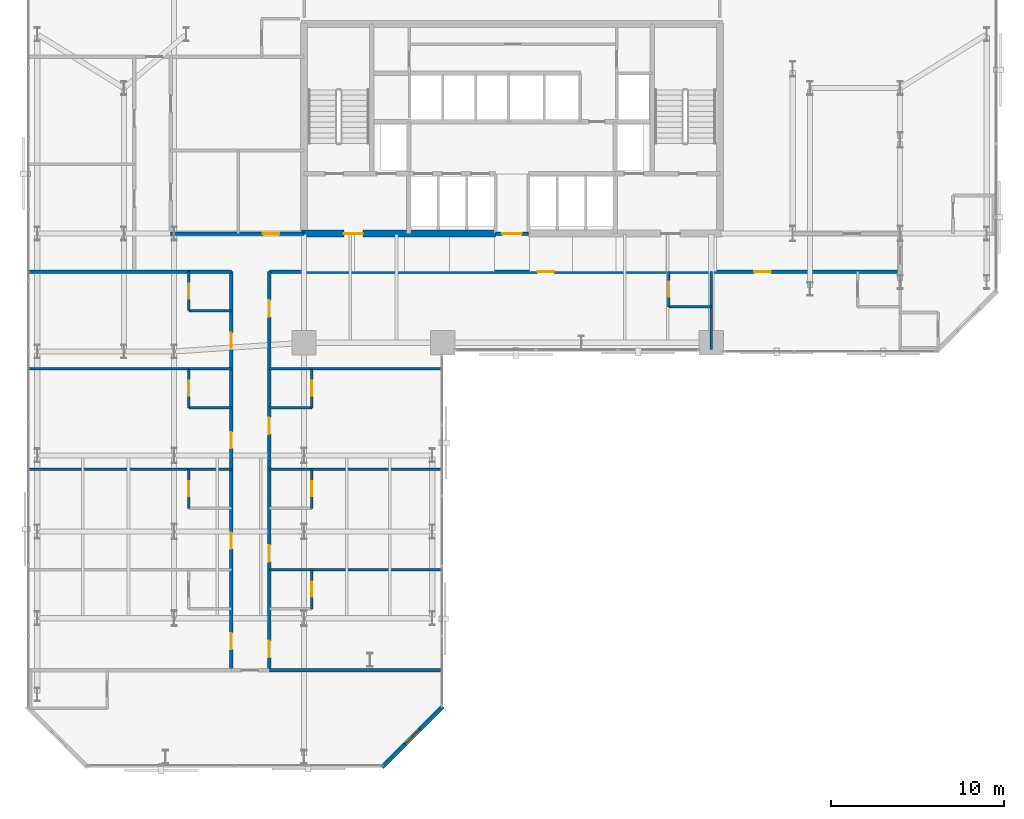
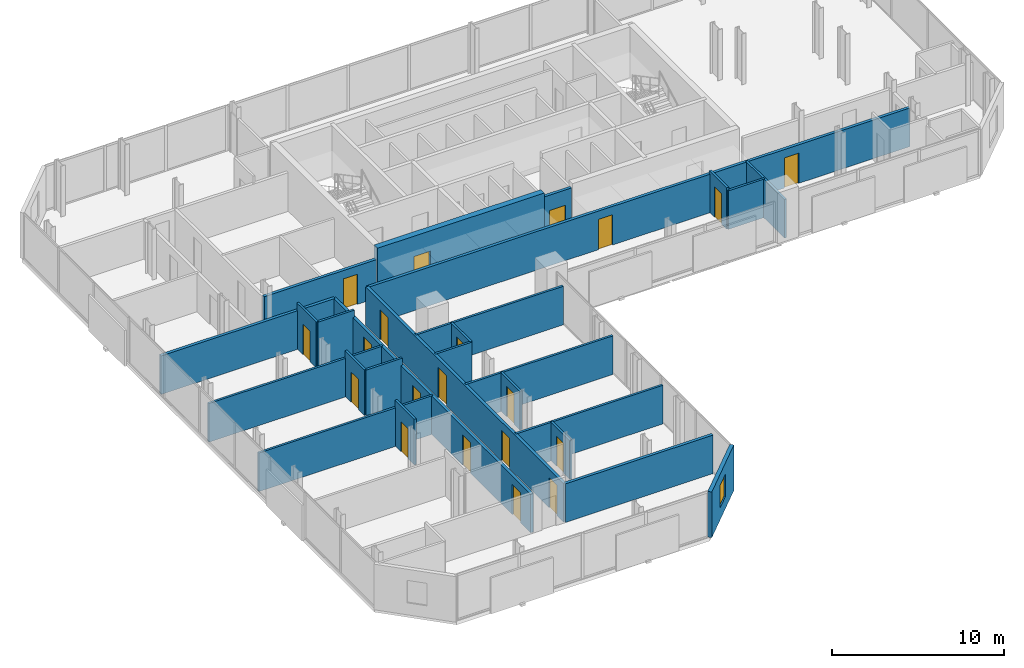
# One storey, part 29 of 33: 26 walls, 20 doors, 1 window, 21 openings.
"""IFC4 building model written with IfcOpenShell, lengths in metres."""

from ifc_helpers import new_model, si_unit, direction, frame, frame_2d, origin, place, context, subcontext, project, spatial, rectangle, extrude, material, layer, layer_set, type_object, element, fill, save


model = new_model("IFC4")

# Units and contexts
model_context = context("Model", 3, precision=1e-05, world=origin(), true_north=direction((0.0, 1.0)))
body_context = subcontext(model_context, "Body", "Model", "MODEL_VIEW")
ifc_project = project(units=[si_unit("LENGTHUNIT", "METRE"), si_unit("AREAUNIT", "SQUARE_METRE"), si_unit("VOLUMEUNIT", "CUBIC_METRE"), si_unit("PLANEANGLEUNIT", "RADIAN"), si_unit("MASSUNIT", "GRAM", prefix="KILO")], contexts=[model_context])

# Site, building, storey
site_placement = place(None, origin())
site = spatial("IfcSite", under=ifc_project, at=site_placement, CompositionType="ELEMENT")
building_placement = place(site_placement, origin())
building = spatial("IfcBuilding", under=site, at=building_placement, Name="Catumbela Crestline Tower", CompositionType="ELEMENT")
storey_placement = place(building_placement, frame((0.0, 0.0, 76.2)))
storey = spatial("IfcBuildingStorey", under=building, at=storey_placement, Name="L19", CompositionType="ELEMENT", Elevation=76.2)

# Wall, opening, door
ifc_material_1 = material(Name="Concrete C60/75", Category="concrete")
ifc_layer_1 = layer(ifc_material_1, 0.4, Name="Concrete C60/75")
ifc_layer_set_1 = layer_set([ifc_layer_1], Name="Concrete C60/75")
wall_type_1 = type_object("IfcWallType", Name="CW-400A", PredefinedType="SHEAR", material=ifc_layer_set_1)
wall_1_placement = place(storey_placement, frame((15.85, 30.8, 0.0), z_axis=(0.0, 0.0, 1.0), x_axis=(1.0, 0.0, 0.0)))
wall_1 = element("IfcWall", 1, at=wall_1_placement, inside=storey, type_object=wall_type_1, Name="L19 Structural Core Shear Wall SW", PredefinedType="SHEAR", context=body_context, shape_type="SweptSolid", body=[
    extrude(rectangle(XDim=11.2, YDim=0.4, at=frame_2d((5.6, 0.0))), origin(), (0.0, 0.0, 1.0), 3.6),
])
opening_1_placement = place(wall_1_placement, frame((2.45, 0.0, 0.0)))
opening_1 = element("IfcOpeningElement", 2, at=opening_1_placement, cuts=wall_1, Name="Opening DF9-110", PredefinedType="OPENING", context=body_context, shape_type="SweptSolid", body=[
    extrude(rectangle(XDim=1.1, YDim=2.15, at=frame_2d((0.55, 1.075))), frame((0.0, 0.21, 0.0), z_axis=(0.0, -1.0, 0.0), x_axis=(1.0, 0.0, 0.0)), (0.0, 0.0, 1.0), 0.42),
])
ifc_material_2 = material(Name="Stainless steel EN 1.4401", Category="steel")
door_type_1 = type_object("IfcDoorType", Name="DF9-110", OperationType="NOTDEFINED", PredefinedType="DOOR", material=ifc_material_2)
door_1_placement = place(opening_1_placement, origin())
door_1 = element("IfcDoor", 3, at=door_1_placement, inside=storey, type_object=door_type_1, Name="L19 Interior Door DR-L19-FFW-S", OperationType="SINGLE_SWING_LEFT", OverallHeight=2.15, OverallWidth=1.1, PredefinedType="DOOR", context=body_context, shape_type="SweptSolid", body=[
    extrude(rectangle(XDim=1.1, YDim=2.15, at=frame_2d((0.55, 1.075))), frame((0.0, 0.025, 0.0), z_axis=(0.0, -1.0, 0.0), x_axis=(1.0, 0.0, 0.0)), (0.0, 0.0, 1.0), 0.05),
])
fill(opening_1, door_1)

ifc_material_3 = material(Name="Acoustic gypsum and mineral-wool partition")
ifc_layer_2 = layer(ifc_material_3, 0.2, Name="Acoustic gypsum and mineral-wool partition")
ifc_layer_set_2 = layer_set([ifc_layer_2], Name="Acoustic gypsum and mineral-wool partition")
wall_type_2 = type_object("IfcWallType", Name="WC-200", PredefinedType="PARTITIONING", material=ifc_layer_set_2)
wall_2_placement = place(storey_placement, frame((27.05, 30.8, 0.0), z_axis=(0.0, 0.0, 1.0), x_axis=(1.0, 0.0, 0.0)))
wall_2 = element("IfcWall", 4, at=wall_2_placement, inside=storey, type_object=wall_type_2, Name="L19 Interior Partition PW-L19-CLOBS", PredefinedType="PARTITIONING", context=body_context, shape_type="SweptSolid", body=[
    extrude(rectangle(XDim=1.9, YDim=0.2, at=frame_2d((0.95, 0.0))), origin(), (0.0, 0.0, 1.0), 3.24),
])
opening_2_placement = place(wall_2_placement, frame((0.4, 0.0, 0.0)))
opening_2 = element("IfcOpeningElement", 5, at=opening_2_placement, cuts=wall_2, Name="Opening DF9-110", PredefinedType="OPENING", context=body_context, shape_type="SweptSolid", body=[
    extrude(rectangle(XDim=1.1, YDim=2.15, at=frame_2d((0.55, 1.075))), frame((0.0, 0.11, 0.0), z_axis=(0.0, -1.0, 0.0), x_axis=(1.0, 0.0, 0.0)), (0.0, 0.0, 1.0), 0.22),
])
door_2_placement = place(opening_2_placement, origin())
door_2 = element("IfcDoor", 6, at=door_2_placement, inside=storey, type_object=door_type_1, Name="L19 Interior Door DR-L19-CLOBS", OperationType="SINGLE_SWING_LEFT", OverallHeight=2.15, OverallWidth=1.1, PredefinedType="DOOR", context=body_context, shape_type="SweptSolid", body=[
    extrude(rectangle(XDim=1.1, YDim=2.15, at=frame_2d((0.55, 1.075))), frame((0.0, 0.025, 0.0), z_axis=(0.0, -1.0, 0.0), x_axis=(1.0, 0.0, 0.0)), (0.0, 0.0, 1.0), 0.05),
])
fill(opening_2, door_2)

# Wall
wall_3_placement = place(storey_placement, frame((0.1, 28.6, 0.0), z_axis=(0.0, 0.0, 1.0), x_axis=(1.0, 0.0, 0.0)))
element("IfcWall", 7, at=wall_3_placement, inside=storey, type_object=wall_type_2, Name="L19 Interior Partition PW-L19-CWGL-N", PredefinedType="PARTITIONING", context=body_context, shape_type="SweptSolid", body=[
    extrude(rectangle(XDim=11.7, YDim=0.2, at=frame_2d((5.85, 0.0))), origin(), (0.0, 0.0, 1.0), 2.74),
])

# Wall, openings, doors
wall_4_placement = place(storey_placement, frame((14.0, 28.6, 0.0), z_axis=(0.0, 0.0, 1.0), x_axis=(1.0, 0.0, 0.0)))
wall_4 = element("IfcWall", 8, at=wall_4_placement, inside=storey, type_object=wall_type_2, Name="L19 Interior Partition PW-L19-CWGR-N", PredefinedType="PARTITIONING", context=body_context, shape_type="SweptSolid", body=[
    extrude(rectangle(XDim=36.4, YDim=0.2, at=frame_2d((18.2, 0.0))), origin(), (0.0, 0.0, 1.0), 2.74),
])
opening_3_placement = place(wall_4_placement, frame((15.475, 0.0, 0.0)))
opening_3 = element("IfcOpeningElement", 9, at=opening_3_placement, cuts=wall_4, Name="Opening DF6-095", PredefinedType="OPENING", context=body_context, shape_type="SweptSolid", body=[
    extrude(rectangle(XDim=0.95, YDim=2.15, at=frame_2d((0.475, 1.075))), frame((0.0, 0.11, 0.0), z_axis=(0.0, -1.0, 0.0), x_axis=(1.0, 0.0, 0.0)), (0.0, 0.0, 1.0), 0.22),
])
opening_4_placement = place(wall_4_placement, frame((27.9859, 0.0, 0.0)))
opening_4 = element("IfcOpeningElement", 10, at=opening_4_placement, cuts=wall_4, Name="Opening DF6-095", PredefinedType="OPENING", context=body_context, shape_type="SweptSolid", body=[
    extrude(rectangle(XDim=0.95, YDim=2.15, at=frame_2d((0.475, 1.075))), frame((0.0, 0.11, 0.0), z_axis=(0.0, -1.0, 0.0), x_axis=(1.0, 0.0, 0.0)), (0.0, 0.0, 1.0), 0.22),
])
ifc_material_4 = material(Name="Aluminium alloy AW-6060-T66", Category="aluminium")
door_type_2 = type_object("IfcDoorType", Name="DF6-095", OperationType="NOTDEFINED", PredefinedType="DOOR", material=ifc_material_4)
door_3_placement = place(opening_3_placement, origin())
door_3 = element("IfcDoor", 11, at=door_3_placement, inside=storey, type_object=door_type_2, Name="L19 Interior Door DR-L19-K1-ENT", OperationType="SINGLE_SWING_LEFT", OverallHeight=2.15, OverallWidth=0.95, PredefinedType="DOOR", context=body_context, shape_type="SweptSolid", body=[
    extrude(rectangle(XDim=0.95, YDim=2.15, at=frame_2d((0.475, 1.075))), frame((0.0, 0.025, 0.0), z_axis=(0.0, -1.0, 0.0), x_axis=(1.0, 0.0, 0.0)), (0.0, 0.0, 1.0), 0.05),
])
fill(opening_3, door_3)
door_4_placement = place(opening_4_placement, origin())
door_4 = element("IfcDoor", 12, at=door_4_placement, inside=storey, type_object=door_type_2, Name="L19 Interior Door DR-L19-K2-ENT", OperationType="SINGLE_SWING_RIGHT", OverallHeight=2.15, OverallWidth=0.95, PredefinedType="DOOR", context=body_context, shape_type="SweptSolid", body=[
    extrude(rectangle(XDim=0.95, YDim=2.15, at=frame_2d((0.475, 1.075))), frame((0.0, 0.025, 0.0), z_axis=(0.0, -1.0, 0.0), x_axis=(1.0, 0.0, 0.0)), (0.0, 0.0, 1.0), 0.05),
])
fill(opening_4, door_4)

# Wall, opening, door
wall_5_placement = place(storey_placement, frame((8.3, 30.8, 0.0), z_axis=(0.0, 0.0, 1.0), x_axis=(1.0, 0.0, 0.0)))
wall_5 = element("IfcWall", 13, at=wall_5_placement, inside=storey, type_object=wall_type_2, Name="L19 Interior Partition PW-L19-HK-S", PredefinedType="PARTITIONING", context=body_context, shape_type="SweptSolid", body=[
    extrude(rectangle(XDim=7.7, YDim=0.2, at=frame_2d((3.85, 0.0))), origin(), (0.0, 0.0, 1.0), 2.74),
])
opening_5_placement = place(wall_5_placement, frame((5.325, 0.0, 0.0)))
opening_5 = element("IfcOpeningElement", 14, at=opening_5_placement, cuts=wall_5, Name="Opening DF6-095", PredefinedType="OPENING", context=body_context, shape_type="SweptSolid", body=[
    extrude(rectangle(XDim=0.95, YDim=2.15, at=frame_2d((0.475, 1.075))), frame((0.0, 0.11, 0.0), z_axis=(0.0, -1.0, 0.0), x_axis=(1.0, 0.0, 0.0)), (0.0, 0.0, 1.0), 0.22),
])
door_5_placement = place(opening_5_placement, origin())
door_5 = element("IfcDoor", 15, at=door_5_placement, inside=storey, type_object=door_type_2, Name="L19 Interior Door DR-L19-HKP", OperationType="SINGLE_SWING_LEFT", OverallHeight=2.15, OverallWidth=0.95, PredefinedType="DOOR", context=body_context, shape_type="SweptSolid", body=[
    extrude(rectangle(XDim=0.95, YDim=2.15, at=frame_2d((0.475, 1.075))), frame((0.0, 0.025, 0.0), z_axis=(0.0, -1.0, 0.0), x_axis=(1.0, 0.0, 0.0)), (0.0, 0.0, 1.0), 0.05),
])
fill(opening_5, door_5)

# Wall, openings, doors
wall_6_placement = place(storey_placement, frame((11.8, 5.6, 0.0), z_axis=(0.0, 0.0, 1.0), x_axis=(0.0, 1.0, 0.0)))
wall_6 = element("IfcWall", 16, at=wall_6_placement, inside=storey, type_object=wall_type_2, Name="L19 Interior Partition PW-L19-WL1-ENT", PredefinedType="PARTITIONING", context=body_context, shape_type="SweptSolid", body=[
    extrude(rectangle(XDim=23.0, YDim=0.2, at=frame_2d((11.5, 0.0))), origin(), (0.0, 0.0, 1.0), 2.74),
])
opening_6_placement = place(wall_6_placement, frame((1.2, 0.0, 0.0)))
opening_6 = element("IfcOpeningElement", 17, at=opening_6_placement, cuts=wall_6, Name="Opening DF6-095", PredefinedType="OPENING", context=body_context, shape_type="SweptSolid", body=[
    extrude(rectangle(XDim=0.95, YDim=2.15, at=frame_2d((0.475, 1.075))), frame((0.0, 0.11, 0.0), z_axis=(0.0, -1.0, 0.0), x_axis=(1.0, 0.0, 0.0)), (0.0, 0.0, 1.0), 0.22),
])
opening_7_placement = place(wall_6_placement, frame((7.0, 0.0, 0.0)))
opening_7 = element("IfcOpeningElement", 18, at=opening_7_placement, cuts=wall_6, Name="Opening DF6-095", PredefinedType="OPENING", context=body_context, shape_type="SweptSolid", body=[
    extrude(rectangle(XDim=0.95, YDim=2.15, at=frame_2d((0.475, 1.075))), frame((0.0, 0.11, 0.0), z_axis=(0.0, -1.0, 0.0), x_axis=(1.0, 0.0, 0.0)), (0.0, 0.0, 1.0), 0.22),
])
opening_8_placement = place(wall_6_placement, frame((12.8, 0.0, 0.0)))
opening_8 = element("IfcOpeningElement", 19, at=opening_8_placement, cuts=wall_6, Name="Opening DF6-095", PredefinedType="OPENING", context=body_context, shape_type="SweptSolid", body=[
    extrude(rectangle(XDim=0.95, YDim=2.15, at=frame_2d((0.475, 1.075))), frame((0.0, 0.11, 0.0), z_axis=(0.0, -1.0, 0.0), x_axis=(1.0, 0.0, 0.0)), (0.0, 0.0, 1.0), 0.22),
])
opening_9_placement = place(wall_6_placement, frame((18.5145, 0.0, 0.0)))
opening_9 = element("IfcOpeningElement", 20, at=opening_9_placement, cuts=wall_6, Name="Opening DF6-095", PredefinedType="OPENING", context=body_context, shape_type="SweptSolid", body=[
    extrude(rectangle(XDim=0.95, YDim=2.15, at=frame_2d((0.475, 1.075))), frame((0.0, 0.11, 0.0), z_axis=(0.0, -1.0, 0.0), x_axis=(1.0, 0.0, 0.0)), (0.0, 0.0, 1.0), 0.22),
])
door_6_placement = place(opening_6_placement, origin())
door_6 = element("IfcDoor", 21, at=door_6_placement, inside=storey, type_object=door_type_2, Name="L19 Interior Door DR-L19-WL1-ENT", OperationType="SINGLE_SWING_LEFT", OverallHeight=2.15, OverallWidth=0.95, PredefinedType="DOOR", context=body_context, shape_type="SweptSolid", body=[
    extrude(rectangle(XDim=0.95, YDim=2.15, at=frame_2d((0.475, 1.075))), frame((0.0, 0.025, 0.0), z_axis=(0.0, -1.0, 0.0), x_axis=(1.0, 0.0, 0.0)), (0.0, 0.0, 1.0), 0.05),
])
fill(opening_6, door_6)
door_7_placement = place(opening_7_placement, origin())
door_7 = element("IfcDoor", 22, at=door_7_placement, inside=storey, type_object=door_type_2, Name="L19 Interior Door DR-L19-WL2-ENT", OperationType="SINGLE_SWING_RIGHT", OverallHeight=2.15, OverallWidth=0.95, PredefinedType="DOOR", context=body_context, shape_type="SweptSolid", body=[
    extrude(rectangle(XDim=0.95, YDim=2.15, at=frame_2d((0.475, 1.075))), frame((0.0, 0.025, 0.0), z_axis=(0.0, -1.0, 0.0), x_axis=(1.0, 0.0, 0.0)), (0.0, 0.0, 1.0), 0.05),
])
fill(opening_7, door_7)
door_8_placement = place(opening_8_placement, origin())
door_8 = element("IfcDoor", 23, at=door_8_placement, inside=storey, type_object=door_type_2, Name="L19 Interior Door DR-L19-WL3-ENT", OperationType="SINGLE_SWING_LEFT", OverallHeight=2.15, OverallWidth=0.95, PredefinedType="DOOR", context=body_context, shape_type="SweptSolid", body=[
    extrude(rectangle(XDim=0.95, YDim=2.15, at=frame_2d((0.475, 1.075))), frame((0.0, 0.025, 0.0), z_axis=(0.0, -1.0, 0.0), x_axis=(1.0, 0.0, 0.0)), (0.0, 0.0, 1.0), 0.05),
])
fill(opening_8, door_8)
door_9_placement = place(opening_9_placement, origin())
door_9 = element("IfcDoor", 24, at=door_9_placement, inside=storey, type_object=door_type_2, Name="L19 Interior Door DR-L19-WL4-ENT", OperationType="SINGLE_SWING_RIGHT", OverallHeight=2.15, OverallWidth=0.95, PredefinedType="DOOR", context=body_context, shape_type="SweptSolid", body=[
    extrude(rectangle(XDim=0.95, YDim=2.15, at=frame_2d((0.475, 1.075))), frame((0.0, 0.025, 0.0), z_axis=(0.0, -1.0, 0.0), x_axis=(1.0, 0.0, 0.0)), (0.0, 0.0, 1.0), 0.05),
])
fill(opening_9, door_9)

wall_7_placement = place(storey_placement, frame((14.0, 5.6, 0.0), z_axis=(0.0, 0.0, 1.0), x_axis=(0.0, 1.0, 0.0)))
wall_7 = element("IfcWall", 25, at=wall_7_placement, inside=storey, type_object=wall_type_2, Name="L19 Interior Partition PW-L19-WR1-ENT", PredefinedType="PARTITIONING", context=body_context, shape_type="SweptSolid", body=[
    extrude(rectangle(XDim=23.0, YDim=0.2, at=frame_2d((11.5, 0.0))), origin(), (0.0, 0.0, 1.0), 2.74),
])
opening_10_placement = place(wall_7_placement, frame((0.74, 0.0, 0.0)))
opening_10 = element("IfcOpeningElement", 26, at=opening_10_placement, cuts=wall_7, Name="Opening DF6-095", PredefinedType="OPENING", context=body_context, shape_type="SweptSolid", body=[
    extrude(rectangle(XDim=0.95, YDim=2.15, at=frame_2d((0.475, 1.075))), frame((0.0, 0.11, 0.0), z_axis=(0.0, -1.0, 0.0), x_axis=(1.0, 0.0, 0.0)), (0.0, 0.0, 1.0), 0.22),
])
opening_11_placement = place(wall_7_placement, frame((6.2709, 0.0, 0.0)))
opening_11 = element("IfcOpeningElement", 27, at=opening_11_placement, cuts=wall_7, Name="Opening DF6-095", PredefinedType="OPENING", context=body_context, shape_type="SweptSolid", body=[
    extrude(rectangle(XDim=0.95, YDim=2.15, at=frame_2d((0.475, 1.075))), frame((0.0, 0.11, 0.0), z_axis=(0.0, -1.0, 0.0), x_axis=(1.0, 0.0, 0.0)), (0.0, 0.0, 1.0), 0.22),
])
opening_12_placement = place(wall_7_placement, frame((13.6255, 0.0, 0.0)))
opening_12 = element("IfcOpeningElement", 28, at=opening_12_placement, cuts=wall_7, Name="Opening DF6-095", PredefinedType="OPENING", context=body_context, shape_type="SweptSolid", body=[
    extrude(rectangle(XDim=0.95, YDim=2.15, at=frame_2d((0.475, 1.075))), frame((0.0, 0.11, 0.0), z_axis=(0.0, -1.0, 0.0), x_axis=(1.0, 0.0, 0.0)), (0.0, 0.0, 1.0), 0.22),
])
opening_13_placement = place(wall_7_placement, frame((20.3933, 0.0, 0.0)))
opening_13 = element("IfcOpeningElement", 29, at=opening_13_placement, cuts=wall_7, Name="Opening DF6-095", PredefinedType="OPENING", context=body_context, shape_type="SweptSolid", body=[
    extrude(rectangle(XDim=0.95, YDim=2.15, at=frame_2d((0.475, 1.075))), frame((0.0, 0.11, 0.0), z_axis=(0.0, -1.0, 0.0), x_axis=(1.0, 0.0, 0.0)), (0.0, 0.0, 1.0), 0.22),
])
door_10_placement = place(opening_10_placement, origin())
door_10 = element("IfcDoor", 30, at=door_10_placement, inside=storey, type_object=door_type_2, Name="L19 Interior Door DR-L19-WR1-ENT", OperationType="SINGLE_SWING_LEFT", OverallHeight=2.15, OverallWidth=0.95, PredefinedType="DOOR", context=body_context, shape_type="SweptSolid", body=[
    extrude(rectangle(XDim=0.95, YDim=2.15, at=frame_2d((0.475, 1.075))), frame((0.0, 0.025, 0.0), z_axis=(0.0, -1.0, 0.0), x_axis=(1.0, 0.0, 0.0)), (0.0, 0.0, 1.0), 0.05),
])
fill(opening_10, door_10)
door_11_placement = place(opening_11_placement, origin())
door_11 = element("IfcDoor", 31, at=door_11_placement, inside=storey, type_object=door_type_2, Name="L19 Interior Door DR-L19-WR2-ENT", OperationType="SINGLE_SWING_RIGHT", OverallHeight=2.15, OverallWidth=0.95, PredefinedType="DOOR", context=body_context, shape_type="SweptSolid", body=[
    extrude(rectangle(XDim=0.95, YDim=2.15, at=frame_2d((0.475, 1.075))), frame((0.0, 0.025, 0.0), z_axis=(0.0, -1.0, 0.0), x_axis=(1.0, 0.0, 0.0)), (0.0, 0.0, 1.0), 0.05),
])
fill(opening_11, door_11)
door_12_placement = place(opening_12_placement, origin())
door_12 = element("IfcDoor", 32, at=door_12_placement, inside=storey, type_object=door_type_2, Name="L19 Interior Door DR-L19-WR3-ENT", OperationType="SINGLE_SWING_LEFT", OverallHeight=2.15, OverallWidth=0.95, PredefinedType="DOOR", context=body_context, shape_type="SweptSolid", body=[
    extrude(rectangle(XDim=0.95, YDim=2.15, at=frame_2d((0.475, 1.075))), frame((0.0, 0.025, 0.0), z_axis=(0.0, -1.0, 0.0), x_axis=(1.0, 0.0, 0.0)), (0.0, 0.0, 1.0), 0.05),
])
fill(opening_12, door_12)
door_13_placement = place(opening_13_placement, origin())
door_13 = element("IfcDoor", 33, at=door_13_placement, inside=storey, type_object=door_type_2, Name="L19 Interior Door DR-L19-WR4-ENT", OperationType="SINGLE_SWING_RIGHT", OverallHeight=2.15, OverallWidth=0.95, PredefinedType="DOOR", context=body_context, shape_type="SweptSolid", body=[
    extrude(rectangle(XDim=0.95, YDim=2.15, at=frame_2d((0.475, 1.075))), frame((0.0, 0.025, 0.0), z_axis=(0.0, -1.0, 0.0), x_axis=(1.0, 0.0, 0.0)), (0.0, 0.0, 1.0), 0.05),
])
fill(opening_13, door_13)

# Wall, opening, window
ifc_material_5 = material(Name="Angolan grey-ochre granite", Category="masonry")
ifc_layer_3 = layer(ifc_material_5, 0.25, Name="Angolan grey-ochre granite")
ifc_layer_set_3 = layer_set([ifc_layer_3], Name="Angolan grey-ochre granite")
wall_type_3 = type_object("IfcWallType", Name="WE-250", PredefinedType="STANDARD", material=ifc_layer_set_3)
wall_8_placement = place(storey_placement, frame((20.5, 0.0, 0.0), z_axis=(0.0, 0.0, 1.0), x_axis=(0.707106781187, 0.707106781187, 0.0)))
wall_8 = element("IfcWall", 34, at=wall_8_placement, inside=storey, type_object=wall_type_3, Name="L19 Granite Punched Window Wall 1-1", PredefinedType="STANDARD", context=body_context, shape_type="SweptSolid", body=[
    extrude(rectangle(XDim=4.9497, YDim=0.25, at=frame_2d((2.4748, 0.0))), origin(), (0.0, 0.0, 1.0), 3.24),
])
opening_14_placement = place(wall_8_placement, frame((1.8748, 0.0, 0.85)))
opening_14 = element("IfcOpeningElement", 35, at=opening_14_placement, cuts=wall_8, Name="Opening WN-02", PredefinedType="OPENING", context=body_context, shape_type="SweptSolid", body=[
    extrude(rectangle(XDim=1.2, YDim=1.6, at=frame_2d((0.6, 0.8))), frame((0.0, 0.135, 0.0), z_axis=(0.0, -1.0, 0.0), x_axis=(1.0, 0.0, 0.0)), (0.0, 0.0, 1.0), 0.27),
])
ifc_material_6 = material(Name="Low-E laminated solar-control double glazing", Category="glass")
window_type = type_object("IfcWindowType", Name="WO-1200", PartitioningType="SINGLE_PANEL", PredefinedType="WINDOW", material=ifc_material_6)
window_placement = place(opening_14_placement, origin())
window = element("IfcWindow", 36, at=window_placement, inside=storey, type_object=window_type, Name="L19 Facade Vision Window 118", OverallHeight=1.6, OverallWidth=1.2, PartitioningType="SINGLE_PANEL", PredefinedType="WINDOW", context=body_context, shape_type="SweptSolid", body=[
    extrude(rectangle(XDim=1.2, YDim=1.6, at=frame_2d((0.6, 0.8))), frame((0.0, 0.03, 0.0), z_axis=(0.0, -1.0, 0.0), x_axis=(1.0, 0.0, 0.0)), (0.0, 0.0, 1.0), 0.06),
])
fill(opening_14, window)

# Wall
ifc_layer_4 = layer(ifc_material_3, 0.15, Name="Acoustic gypsum and mineral-wool partition")
ifc_layer_set_4 = layer_set([ifc_layer_4], Name="Acoustic gypsum and mineral-wool partition")
wall_type_4 = type_object("IfcWallType", Name="WP-150", PredefinedType="PARTITIONING", material=ifc_layer_set_4)
wall_9_placement = place(storey_placement, frame((37.05, 26.576, 0.0), z_axis=(0.0, 0.0, 1.0), x_axis=(1.0, 0.0, 0.0)))
element("IfcWall", 37, at=wall_9_placement, inside=storey, type_object=wall_type_4, Name="L19 Interior Partition PW-L19-K1-BHW", PredefinedType="PARTITIONING", context=body_context, shape_type="SweptSolid", body=[
    extrude(rectangle(XDim=2.45, YDim=0.15, at=frame_2d((1.225, 0.0))), origin(), (0.0, 0.0, 1.0), 2.74),
])

# Wall, opening, door
wall_10_placement = place(storey_placement, frame((37.05, 26.576, 0.0), z_axis=(0.0, 0.0, 1.0), x_axis=(0.0, 1.0, 0.0)))
wall_10 = element("IfcWall", 38, at=wall_10_placement, inside=storey, type_object=wall_type_4, Name="L19 Interior Partition PW-L19-K1-BWW", PredefinedType="PARTITIONING", context=body_context, shape_type="SweptSolid", body=[
    extrude(rectangle(XDim=2.024, YDim=0.15, at=frame_2d((1.012, 0.0))), origin(), (0.0, 0.0, 1.0), 2.93),
])
opening_15_placement = place(wall_10_placement, frame((0.587, 0.0, 0.0)))
opening_15 = element("IfcOpeningElement", 39, at=opening_15_placement, cuts=wall_10, Name="Opening DI-085", PredefinedType="OPENING", context=body_context, shape_type="SweptSolid", body=[
    extrude(rectangle(XDim=0.85, YDim=2.15, at=frame_2d((0.425, 1.075))), frame((0.0, 0.085, 0.0), z_axis=(0.0, -1.0, 0.0), x_axis=(1.0, 0.0, 0.0)), (0.0, 0.0, 1.0), 0.17),
])
door_type_3 = type_object("IfcDoorType", Name="DI-085", OperationType="NOTDEFINED", PredefinedType="DOOR", material=ifc_material_4)
door_14_placement = place(opening_15_placement, origin())
door_14 = element("IfcDoor", 40, at=door_14_placement, inside=storey, type_object=door_type_3, Name="L19 Interior Door DR-L19-K1-BTH", OperationType="SINGLE_SWING_RIGHT", OverallHeight=2.15, OverallWidth=0.85, PredefinedType="DOOR", context=body_context, shape_type="SweptSolid", body=[
    extrude(rectangle(XDim=0.85, YDim=2.15, at=frame_2d((0.425, 1.075))), frame((0.0, 0.025, 0.0), z_axis=(0.0, -1.0, 0.0), x_axis=(1.0, 0.0, 0.0)), (0.0, 0.0, 1.0), 0.05),
])
fill(opening_15, door_14)

# Wall
wall_11_placement = place(storey_placement, frame((39.5, 28.6, 0.0), z_axis=(0.0, 0.0, 1.0), x_axis=(0.0, -1.0, 0.0)))
element("IfcWall", 41, at=wall_11_placement, inside=storey, type_object=wall_type_4, Name="L19 Interior Partition PW-L19-K1-BCL-2", PredefinedType="PARTITIONING", context=body_context, shape_type="SweptSolid", body=[
    extrude(rectangle(XDim=4.5, YDim=0.15, at=frame_2d((2.25, 0.0))), origin(), (0.0, 0.0, 1.0), 2.74),
])

# Wall, opening, door
wall_12_placement = place(storey_placement, frame((16.45, 9.15, 0.0), z_axis=(0.0, 0.0, 1.0), x_axis=(0.0, 1.0, 0.0)))
wall_12 = element("IfcWall", 42, at=wall_12_placement, inside=storey, type_object=wall_type_4, Name="L19 Interior Partition PW-L19-WR1-BEW", PredefinedType="PARTITIONING", context=body_context, shape_type="SweptSolid", body=[
    extrude(rectangle(XDim=2.25, YDim=0.15, at=frame_2d((1.125, 0.0))), origin(), (0.0, 0.0, 1.0), 2.74),
])
opening_16_placement = place(wall_12_placement, frame((0.7, 0.0, 0.0)))
opening_16 = element("IfcOpeningElement", 43, at=opening_16_placement, cuts=wall_12, Name="Opening DI-085", PredefinedType="OPENING", context=body_context, shape_type="SweptSolid", body=[
    extrude(rectangle(XDim=0.85, YDim=2.15, at=frame_2d((0.425, 1.075))), frame((0.0, 0.085, 0.0), z_axis=(0.0, -1.0, 0.0), x_axis=(1.0, 0.0, 0.0)), (0.0, 0.0, 1.0), 0.17),
])
door_15_placement = place(opening_16_placement, origin())
door_15 = element("IfcDoor", 44, at=door_15_placement, inside=storey, type_object=door_type_3, Name="L19 Interior Door DR-L19-WR1-BTH", OperationType="SINGLE_SWING_LEFT", OverallHeight=2.15, OverallWidth=0.85, PredefinedType="DOOR", context=body_context, shape_type="SweptSolid", body=[
    extrude(rectangle(XDim=0.85, YDim=2.15, at=frame_2d((0.425, 1.075))), frame((0.0, 0.025, 0.0), z_axis=(0.0, -1.0, 0.0), x_axis=(1.0, 0.0, 0.0)), (0.0, 0.0, 1.0), 0.05),
])
fill(opening_16, door_15)

# Wall
wall_13_placement = place(storey_placement, frame((14.0, 11.4, 0.0), z_axis=(0.0, 0.0, 1.0), x_axis=(1.0, 0.0, 0.0)))
element("IfcWall", 45, at=wall_13_placement, inside=storey, type_object=wall_type_4, Name="L19 Interior Partition PW-L19-WR1-BCL-1", PredefinedType="PARTITIONING", context=body_context, shape_type="SweptSolid", body=[
    extrude(rectangle(XDim=9.9, YDim=0.15, at=frame_2d((4.95, 0.0))), origin(), (0.0, 0.0, 1.0), 2.74),
])

# Wall, opening, door
wall_14_placement = place(storey_placement, frame((9.35, 14.95, 0.0), z_axis=(0.0, 0.0, 1.0), x_axis=(0.0, 1.0, 0.0)))
wall_14 = element("IfcWall", 46, at=wall_14_placement, inside=storey, type_object=wall_type_4, Name="L19 Interior Partition PW-L19-WL2-BWW", PredefinedType="PARTITIONING", context=body_context, shape_type="SweptSolid", body=[
    extrude(rectangle(XDim=2.25, YDim=0.15, at=frame_2d((1.125, 0.0))), origin(), (0.0, 0.0, 1.0), 3.24),
])
opening_17_placement = place(wall_14_placement, frame((0.7, 0.0, 0.0)))
opening_17 = element("IfcOpeningElement", 47, at=opening_17_placement, cuts=wall_14, Name="Opening DI-085", PredefinedType="OPENING", context=body_context, shape_type="SweptSolid", body=[
    extrude(rectangle(XDim=0.85, YDim=2.15, at=frame_2d((0.425, 1.075))), frame((0.0, 0.085, 0.0), z_axis=(0.0, -1.0, 0.0), x_axis=(1.0, 0.0, 0.0)), (0.0, 0.0, 1.0), 0.17),
])
door_16_placement = place(opening_17_placement, origin())
door_16 = element("IfcDoor", 48, at=door_16_placement, inside=storey, type_object=door_type_3, Name="L19 Interior Door DR-L19-WL2-BTH", OperationType="SINGLE_SWING_RIGHT", OverallHeight=2.15, OverallWidth=0.85, PredefinedType="DOOR", context=body_context, shape_type="SweptSolid", body=[
    extrude(rectangle(XDim=0.85, YDim=2.15, at=frame_2d((0.425, 1.075))), frame((0.0, 0.025, 0.0), z_axis=(0.0, -1.0, 0.0), x_axis=(1.0, 0.0, 0.0)), (0.0, 0.0, 1.0), 0.05),
])
fill(opening_17, door_16)

# Wall
wall_15_placement = place(storey_placement, frame((0.1, 17.2, 0.0), z_axis=(0.0, 0.0, 1.0), x_axis=(1.0, 0.0, 0.0)))
element("IfcWall", 49, at=wall_15_placement, inside=storey, type_object=wall_type_4, Name="L19 Interior Partition PW-L19-WL2-BCL-1", PredefinedType="PARTITIONING", context=body_context, shape_type="SweptSolid", body=[
    extrude(rectangle(XDim=11.7, YDim=0.15, at=frame_2d((5.85, 0.0))), origin(), (0.0, 0.0, 1.0), 2.74),
])

# Wall, opening, door
wall_16_placement = place(storey_placement, frame((16.45, 14.95, 0.0), z_axis=(0.0, 0.0, 1.0), x_axis=(0.0, 1.0, 0.0)))
wall_16 = element("IfcWall", 50, at=wall_16_placement, inside=storey, type_object=wall_type_4, Name="L19 Interior Partition PW-L19-WR2-BEW", PredefinedType="PARTITIONING", context=body_context, shape_type="SweptSolid", body=[
    extrude(rectangle(XDim=2.25, YDim=0.15, at=frame_2d((1.125, 0.0))), origin(), (0.0, 0.0, 1.0), 2.74),
])
opening_18_placement = place(wall_16_placement, frame((0.7, 0.0, 0.0)))
opening_18 = element("IfcOpeningElement", 51, at=opening_18_placement, cuts=wall_16, Name="Opening DI-085", PredefinedType="OPENING", context=body_context, shape_type="SweptSolid", body=[
    extrude(rectangle(XDim=0.85, YDim=2.15, at=frame_2d((0.425, 1.075))), frame((0.0, 0.085, 0.0), z_axis=(0.0, -1.0, 0.0), x_axis=(1.0, 0.0, 0.0)), (0.0, 0.0, 1.0), 0.17),
])
door_17_placement = place(opening_18_placement, origin())
door_17 = element("IfcDoor", 52, at=door_17_placement, inside=storey, type_object=door_type_3, Name="L19 Interior Door DR-L19-WR2-BTH", OperationType="SINGLE_SWING_LEFT", OverallHeight=2.15, OverallWidth=0.85, PredefinedType="DOOR", context=body_context, shape_type="SweptSolid", body=[
    extrude(rectangle(XDim=0.85, YDim=2.15, at=frame_2d((0.425, 1.075))), frame((0.0, 0.025, 0.0), z_axis=(0.0, -1.0, 0.0), x_axis=(1.0, 0.0, 0.0)), (0.0, 0.0, 1.0), 0.05),
])
fill(opening_18, door_17)

# Walls
wall_17_placement = place(storey_placement, frame((14.0, 17.2, 0.0), z_axis=(0.0, 0.0, 1.0), x_axis=(1.0, 0.0, 0.0)))
element("IfcWall", 53, at=wall_17_placement, inside=storey, type_object=wall_type_4, Name="L19 Interior Partition PW-L19-WR2-BCL-1", PredefinedType="PARTITIONING", context=body_context, shape_type="SweptSolid", body=[
    extrude(rectangle(XDim=9.9, YDim=0.15, at=frame_2d((4.95, 0.0))), origin(), (0.0, 0.0, 1.0), 2.74),
])
wall_18_placement = place(storey_placement, frame((9.35, 20.75, 0.0), z_axis=(0.0, 0.0, 1.0), x_axis=(1.0, 0.0, 0.0)))
element("IfcWall", 54, at=wall_18_placement, inside=storey, type_object=wall_type_4, Name="L19 Interior Partition PW-L19-WL3-BSW", PredefinedType="PARTITIONING", context=body_context, shape_type="SweptSolid", body=[
    extrude(rectangle(XDim=2.45, YDim=0.15, at=frame_2d((1.225, 0.0))), origin(), (0.0, 0.0, 1.0), 3.24),
])

# Wall, opening, door
wall_19_placement = place(storey_placement, frame((9.35, 20.75, 0.0), z_axis=(0.0, 0.0, 1.0), x_axis=(0.0, 1.0, 0.0)))
wall_19 = element("IfcWall", 55, at=wall_19_placement, inside=storey, type_object=wall_type_4, Name="L19 Interior Partition PW-L19-WL3-BWW", PredefinedType="PARTITIONING", context=body_context, shape_type="SweptSolid", body=[
    extrude(rectangle(XDim=2.25, YDim=0.15, at=frame_2d((1.125, 0.0))), origin(), (0.0, 0.0, 1.0), 3.24),
])
opening_19_placement = place(wall_19_placement, frame((0.7, 0.0, 0.0)))
opening_19 = element("IfcOpeningElement", 56, at=opening_19_placement, cuts=wall_19, Name="Opening DI-085", PredefinedType="OPENING", context=body_context, shape_type="SweptSolid", body=[
    extrude(rectangle(XDim=0.85, YDim=2.15, at=frame_2d((0.425, 1.075))), frame((0.0, 0.085, 0.0), z_axis=(0.0, -1.0, 0.0), x_axis=(1.0, 0.0, 0.0)), (0.0, 0.0, 1.0), 0.17),
])
door_18_placement = place(opening_19_placement, origin())
door_18 = element("IfcDoor", 57, at=door_18_placement, inside=storey, type_object=door_type_3, Name="L19 Interior Door DR-L19-WL3-BTH", OperationType="SINGLE_SWING_RIGHT", OverallHeight=2.15, OverallWidth=0.85, PredefinedType="DOOR", context=body_context, shape_type="SweptSolid", body=[
    extrude(rectangle(XDim=0.85, YDim=2.15, at=frame_2d((0.425, 1.075))), frame((0.0, 0.025, 0.0), z_axis=(0.0, -1.0, 0.0), x_axis=(1.0, 0.0, 0.0)), (0.0, 0.0, 1.0), 0.05),
])
fill(opening_19, door_18)

# Walls
wall_20_placement = place(storey_placement, frame((0.1, 23.0, 0.0), z_axis=(0.0, 0.0, 1.0), x_axis=(1.0, 0.0, 0.0)))
element("IfcWall", 58, at=wall_20_placement, inside=storey, type_object=wall_type_4, Name="L19 Interior Partition PW-L19-WL3-BCL-1", PredefinedType="PARTITIONING", context=body_context, shape_type="SweptSolid", body=[
    extrude(rectangle(XDim=11.7, YDim=0.15, at=frame_2d((5.85, 0.0))), origin(), (0.0, 0.0, 1.0), 2.74),
])
wall_21_placement = place(storey_placement, frame((14.0, 20.75, 0.0), z_axis=(0.0, 0.0, 1.0), x_axis=(1.0, 0.0, 0.0)))
element("IfcWall", 59, at=wall_21_placement, inside=storey, type_object=wall_type_4, Name="L19 Interior Partition PW-L19-WR3-BSW", PredefinedType="PARTITIONING", context=body_context, shape_type="SweptSolid", body=[
    extrude(rectangle(XDim=2.45, YDim=0.15, at=frame_2d((1.225, 0.0))), origin(), (0.0, 0.0, 1.0), 2.74),
])

# Wall, opening, door
wall_22_placement = place(storey_placement, frame((16.45, 20.75, 0.0), z_axis=(0.0, 0.0, 1.0), x_axis=(0.0, 1.0, 0.0)))
wall_22 = element("IfcWall", 60, at=wall_22_placement, inside=storey, type_object=wall_type_4, Name="L19 Interior Partition PW-L19-WR3-BEW", PredefinedType="PARTITIONING", context=body_context, shape_type="SweptSolid", body=[
    extrude(rectangle(XDim=2.25, YDim=0.15, at=frame_2d((1.125, 0.0))), origin(), (0.0, 0.0, 1.0), 2.74),
])
opening_20_placement = place(wall_22_placement, frame((0.7, 0.0, 0.0)))
opening_20 = element("IfcOpeningElement", 61, at=opening_20_placement, cuts=wall_22, Name="Opening DI-085", PredefinedType="OPENING", context=body_context, shape_type="SweptSolid", body=[
    extrude(rectangle(XDim=0.85, YDim=2.15, at=frame_2d((0.425, 1.075))), frame((0.0, 0.085, 0.0), z_axis=(0.0, -1.0, 0.0), x_axis=(1.0, 0.0, 0.0)), (0.0, 0.0, 1.0), 0.17),
])
door_19_placement = place(opening_20_placement, origin())
door_19 = element("IfcDoor", 62, at=door_19_placement, inside=storey, type_object=door_type_3, Name="L19 Interior Door DR-L19-WR3-BTH", OperationType="SINGLE_SWING_LEFT", OverallHeight=2.15, OverallWidth=0.85, PredefinedType="DOOR", context=body_context, shape_type="SweptSolid", body=[
    extrude(rectangle(XDim=0.85, YDim=2.15, at=frame_2d((0.425, 1.075))), frame((0.0, 0.025, 0.0), z_axis=(0.0, -1.0, 0.0), x_axis=(1.0, 0.0, 0.0)), (0.0, 0.0, 1.0), 0.05),
])
fill(opening_20, door_19)

# Walls
wall_23_placement = place(storey_placement, frame((14.0, 23.0, 0.0), z_axis=(0.0, 0.0, 1.0), x_axis=(1.0, 0.0, 0.0)))
element("IfcWall", 63, at=wall_23_placement, inside=storey, type_object=wall_type_4, Name="L19 Interior Partition PW-L19-WR3-BCL-1", PredefinedType="PARTITIONING", context=body_context, shape_type="SweptSolid", body=[
    extrude(rectangle(XDim=9.9, YDim=0.15, at=frame_2d((4.95, 0.0))), origin(), (0.0, 0.0, 1.0), 2.74),
])
wall_24_placement = place(storey_placement, frame((9.35, 26.36, 0.0), z_axis=(0.0, 0.0, 1.0), x_axis=(1.0, 0.0, 0.0)))
element("IfcWall", 64, at=wall_24_placement, inside=storey, type_object=wall_type_4, Name="L19 Interior Partition PW-L19-WL4-BSW", PredefinedType="PARTITIONING", context=body_context, shape_type="SweptSolid", body=[
    extrude(rectangle(XDim=2.45, YDim=0.15, at=frame_2d((1.225, 0.0))), origin(), (0.0, 0.0, 1.0), 3.24),
])

# Wall, opening, door
wall_25_placement = place(storey_placement, frame((9.35, 26.36, 0.0), z_axis=(0.0, 0.0, 1.0), x_axis=(0.0, 1.0, 0.0)))
wall_25 = element("IfcWall", 65, at=wall_25_placement, inside=storey, type_object=wall_type_4, Name="L19 Interior Partition PW-L19-WL4-BWW", PredefinedType="PARTITIONING", context=body_context, shape_type="SweptSolid", body=[
    extrude(rectangle(XDim=2.24, YDim=0.15, at=frame_2d((1.12, 0.0))), origin(), (0.0, 0.0, 1.0), 3.24),
])
opening_21_placement = place(wall_25_placement, frame((0.695, 0.0, 0.0)))
opening_21 = element("IfcOpeningElement", 66, at=opening_21_placement, cuts=wall_25, Name="Opening DI-085", PredefinedType="OPENING", context=body_context, shape_type="SweptSolid", body=[
    extrude(rectangle(XDim=0.85, YDim=2.15, at=frame_2d((0.425, 1.075))), frame((0.0, 0.085, 0.0), z_axis=(0.0, -1.0, 0.0), x_axis=(1.0, 0.0, 0.0)), (0.0, 0.0, 1.0), 0.17),
])
door_20_placement = place(opening_21_placement, origin())
door_20 = element("IfcDoor", 67, at=door_20_placement, inside=storey, type_object=door_type_3, Name="L19 Interior Door DR-L19-WL4-BTH", OperationType="SINGLE_SWING_RIGHT", OverallHeight=2.15, OverallWidth=0.85, PredefinedType="DOOR", context=body_context, shape_type="SweptSolid", body=[
    extrude(rectangle(XDim=0.85, YDim=2.15, at=frame_2d((0.425, 1.075))), frame((0.0, 0.025, 0.0), z_axis=(0.0, -1.0, 0.0), x_axis=(1.0, 0.0, 0.0)), (0.0, 0.0, 1.0), 0.05),
])
fill(opening_21, door_20)

# Wall
ifc_layer_5 = layer(ifc_material_3, 0.2, Name="Acoustic gypsum and mineral-wool partition")
ifc_layer_set_5 = layer_set([ifc_layer_5], Name="Acoustic gypsum and mineral-wool partition")
wall_type_5 = type_object("IfcWallType", Name="WY-200", PredefinedType="PARTITIONING", material=ifc_layer_set_5)
wall_26_placement = place(storey_placement, frame((14.0, 5.6, 0.0), z_axis=(0.0, 0.0, 1.0), x_axis=(1.0, 0.0, 0.0)))
element("IfcWall", 68, at=wall_26_placement, inside=storey, type_object=wall_type_5, Name="L19 Interior Partition PW-L19-WTIP-WR", PredefinedType="PARTITIONING", context=body_context, shape_type="SweptSolid", body=[
    extrude(rectangle(XDim=9.9, YDim=0.2, at=frame_2d((4.95, 0.0))), origin(), (0.0, 0.0, 1.0), 2.74),
])

save(model, "model.ifc")
